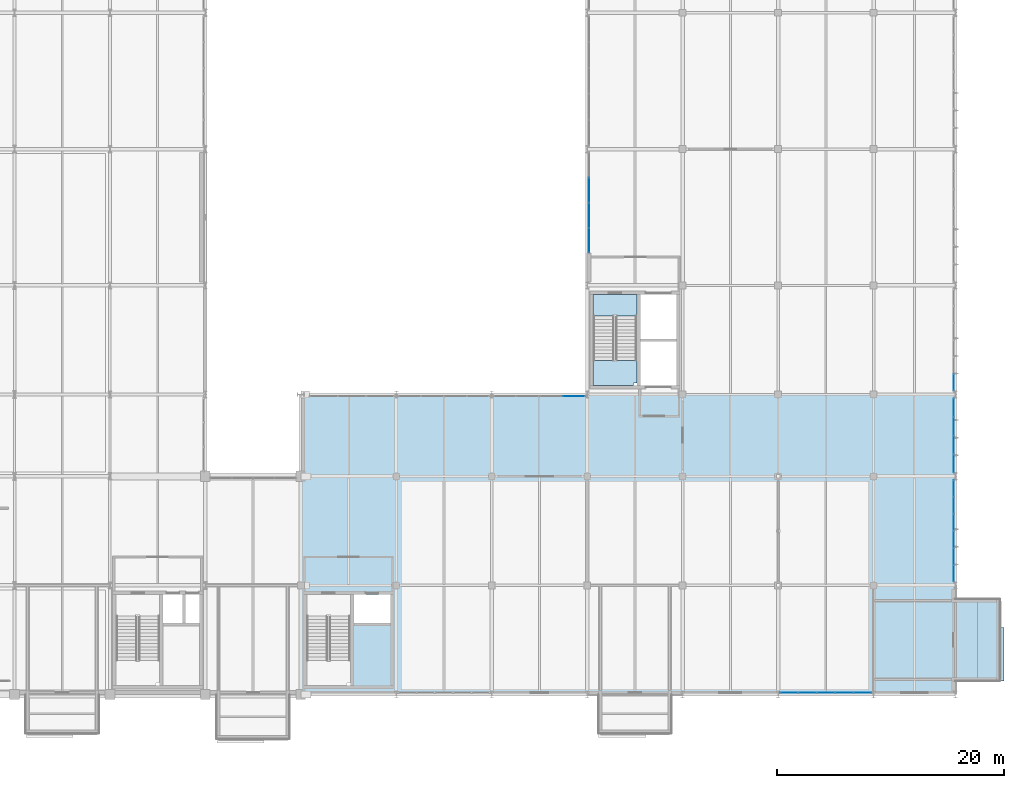
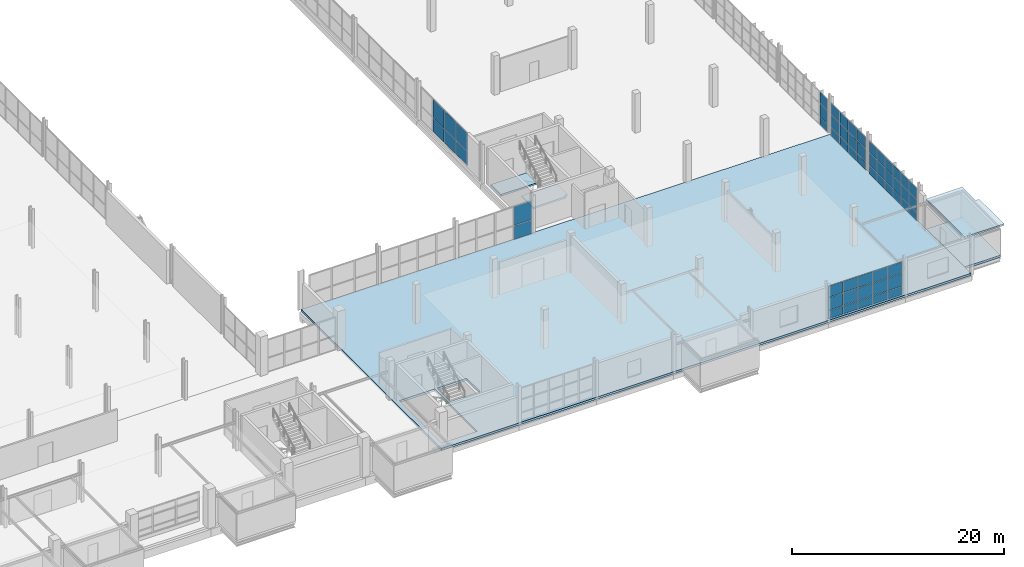
# One storey, part 110 of 130: 56 plates, 5 slabs, 7 elements without a shape of their own.
"""IFC4 building model written with IfcOpenShell, lengths in metres."""

from ifc_helpers import new_model, si_unit, direction, frame, origin, origin_2d, place, context, subcontext, project, spatial, polyline, rectangle, outline, extrude, material, layer, layer_set, type_object, element, aggregate, save


model = new_model("IFC4")

# Units and contexts
model_context = context("Model", 3, precision=1e-05, world=origin(), true_north=direction((0.0, 1.0)))
body_context = subcontext(model_context, "Body", "Model", "MODEL_VIEW")
ifc_project = project(units=[si_unit("LENGTHUNIT", "METRE"), si_unit("AREAUNIT", "SQUARE_METRE"), si_unit("VOLUMEUNIT", "CUBIC_METRE"), si_unit("PLANEANGLEUNIT", "RADIAN"), si_unit("MASSUNIT", "GRAM", prefix="KILO")], contexts=[model_context])

# Site, building, storey
site_placement = place(None, origin())
site = spatial("IfcSite", under=ifc_project, at=site_placement, CompositionType="ELEMENT")
building_placement = place(site_placement, origin())
building = spatial("IfcBuilding", under=site, at=building_placement, Name="Veltarok Museum of Natural Sciences", CompositionType="ELEMENT")
storey_placement = place(building_placement, frame((0.0, 0.0, 12.89990234375)))
storey = spatial("IfcBuildingStorey", under=building, at=storey_placement, Name="L02", CompositionType="ELEMENT", Elevation=12.89990234375)

# Slabs
ifc_material_1 = material(Name="Concrete C35/45", Category="concrete")
ifc_layer_1 = layer(ifc_material_1, 0.199951171875)
ifc_layer_set_1 = layer_set([ifc_layer_1], Name="Concrete C35/45")
slab_type_1 = type_object("IfcSlabType", Name="Cantilevered Cabinet Box Roof Slab 200", PredefinedType="ROOF", material=ifc_layer_set_1)
slab_1_placement = place(storey_placement, frame((0.0, 0.0, 3.25)))
element("IfcSlab", 1, at=slab_1_placement, inside=storey, type_object=slab_type_1, Name="Cabinet Box Roof Slab DB-31", PredefinedType="ROOF", context=body_context, shape_type="SweptSolid", body=[
    extrude(outline(polyline([(164.800048828125, 1.199951171875), (169.080078125, 1.199951171875), (169.080078125, 5.8798828125), (168.699951171875, 5.8798828125), (168.699951171875, 8.39990234375), (164.800048828125, 8.39990234375), (164.800048828125, 1.199951171875)])), origin(), (0.0, 0.0, 1.0), 0.2001953125),
])
ifc_layer_2 = layer(ifc_material_1, 0.199951171875)
ifc_layer_set_2 = layer_set([ifc_layer_2], Name="Concrete C35/45")
slab_type_2 = type_object("IfcSlabType", Name="Protected Stair Intermediate Landing Slab 200", PredefinedType="LANDING", material=ifc_layer_set_2)
slab_2_placement = place(storey_placement, frame((0.0, 0.0, -0.199951171875)))
element("IfcSlab", 2, at=slab_2_placement, inside=storey, type_object=slab_type_2, Name="Stairwell Floor Landing ST-05 L02", PredefinedType="LANDING", context=body_context, shape_type="SweptSolid", body=[
    extrude(outline(polyline([(132.909912109375, 33.300048828125), (136.7900390625, 33.300048828125), (136.7900390625, 35.219970703125), (132.909912109375, 35.219970703125), (132.909912109375, 33.300048828125)])), origin(), (0.0, 0.0, 1.0), 0.199951171875),
])

# Stair, slab
ifc_material_2 = material(Name="Precast concrete C40/50", Category="concrete")
stair_type = type_object("IfcStairType", Name="Protected Half-Turn Escape Stair H4500", PredefinedType="HALF_TURN_STAIR", material=ifc_material_2)
stair_placement = place(storey_placement, origin())
stair = element("IfcStair", 3, at=stair_placement, inside=storey, type_object=stair_type, Name="Protected Escape Stair ST-05-L02", PredefinedType="HALF_TURN_STAIR")
slab_3_placement = place(storey_placement, frame((0.0, 0.0, 2.050048828125)))
slab_3 = element("IfcSlab", 4, at=slab_3_placement, type_object=slab_type_2, Name="ST-05-L02 landing 1", PredefinedType="LANDING", context=body_context, shape_type="SweptSolid", body=[
    extrude(outline(polyline([(132.909912109375, 27.179931640625), (136.469970703125, 27.179931640625), (136.469970703125, 27.419921875), (136.7900390625, 27.419921875), (136.7900390625, 29.39990234375), (132.909912109375, 29.39990234375), (132.909912109375, 27.179931640625)])), origin(), (0.0, 0.0, 1.0), 0.199951171875),
])
aggregate(stair, [slab_3])

# Slabs
ifc_layer_3 = layer(ifc_material_1, 0.25)
ifc_layer_set_3 = layer_set([ifc_layer_3], Name="Concrete C35/45")
slab_type_3 = type_object("IfcSlabType", Name="Suspended Museum Floor Slab 250", PredefinedType="FLOOR", material=ifc_layer_set_3)
slab_4_placement = place(storey_placement, frame((0.0, 0.0, -0.25)))
element("IfcSlab", 5, at=slab_4_placement, inside=storey, type_object=slab_type_3, Name="Floor Slab L02 V5S", PredefinedType="FLOOR", context=body_context, shape_type="SweptSolid", body=[
    extrude(outline(polyline([(107.22509765625, 0.0), (107.22509765625, 26.39990234375), (164.800048828125, 26.39990234375), (164.800048828125, 0.0), (107.22509765625, 0.0)]), holes=[polyline([(107.72998046875, 8.800048828125), (107.72998046875, 0.800048828125), (111.570068359375, 0.800048828125), (111.570068359375, 8.800048828125), (107.72998046875, 8.800048828125)]), polyline([(115.070068359375, 8.800048828125), (111.8701171875, 8.800048828125), (111.8701171875, 6.300048828125), (115.070068359375, 6.300048828125), (115.070068359375, 8.800048828125)])]), origin(), (0.0, 0.0, 1.0), 0.25),
])
slab_5_placement = place(storey_placement, frame((0.0, 0.0, -0.25)))
element("IfcSlab", 6, at=slab_5_placement, inside=storey, type_object=slab_type_3, Name="Cabinet Box Floor Slab DB-31", PredefinedType="FLOOR", context=body_context, shape_type="SweptSolid", body=[
    extrude(outline(polyline([(164.800048828125, 1.199951171875), (168.699951171875, 1.199951171875), (168.699951171875, 8.39990234375), (164.800048828125, 8.39990234375), (164.800048828125, 1.199951171875)])), origin(), (0.0, 0.0, 1.0), 0.25),
])

# Curtain wall, plates
ifc_material_3 = material(Name="Low-iron triple insulated glass", Category="glass")
curtain_wall_type_1 = type_object("IfcCurtainWallType", Name="Curtain Wall System CW-V5S-L02-18-810x388 (V5 South Lab Curtain Wall L02 18-19 810x388cm)", PredefinedType="NOTDEFINED", material=ifc_material_3)
curtain_wall_1_placement = place(storey_placement, origin())
curtain_wall_1 = element("IfcCurtainWall", 7, at=curtain_wall_1_placement, inside=storey, type_object=curtain_wall_type_1, Name="Curtain Wall CW-V5S-L02-18-810x388 CW-0093", PredefinedType="NOTDEFINED")
ifc_layer_4 = layer(ifc_material_3, 0.028076171875)
ifc_layer_set_4 = layer_set([ifc_layer_4], Name="Low-iron triple insulated glass")
plate_type = type_object("IfcPlateType", Name="Triple Low-Iron Glazed Vision Panel 28", PredefinedType="CURTAIN_PANEL", material=ifc_layer_set_4)
plate_1_placement = place(storey_placement, frame((150.175048828125, 0.159912109375, 0.06005859375), z_axis=(0.0, 0.0, 1.0), x_axis=(1.0, 0.0, 0.0)))
plate_1 = element("IfcPlate", 8, at=plate_1_placement, type_object=plate_type, Name="CW-V5S-L02-18-810x388 panel 1.1", PredefinedType="CURTAIN_PANEL", context=body_context, shape_type="SweptSolid", body=[
    extrude(rectangle(XDim=1.530029296875, YDim=0.028076171875, at=origin_2d()), origin(), (0.0, 0.0, 1.0), 0.909912109375),
])
plate_2_placement = place(storey_placement, frame((150.175048828125, 0.159912109375, 1.030029296875), z_axis=(0.0, 0.0, 1.0), x_axis=(1.0, 0.0, 0.0)))
plate_2 = element("IfcPlate", 9, at=plate_2_placement, type_object=plate_type, Name="CW-V5S-L02-18-810x388 panel 1.2", PredefinedType="CURTAIN_PANEL", context=body_context, shape_type="SweptSolid", body=[
    extrude(rectangle(XDim=1.530029296875, YDim=0.028076171875, at=origin_2d()), origin(), (0.0, 0.0, 1.0), 1.43994140625),
])
plate_3_placement = place(storey_placement, frame((150.175048828125, 0.159912109375, 2.530029296875), z_axis=(0.0, 0.0, 1.0), x_axis=(1.0, 0.0, 0.0)))
plate_3 = element("IfcPlate", 10, at=plate_3_placement, type_object=plate_type, Name="CW-V5S-L02-18-810x388 panel 1.3", PredefinedType="CURTAIN_PANEL", context=body_context, shape_type="SweptSolid", body=[
    extrude(rectangle(XDim=1.530029296875, YDim=0.028076171875, at=origin_2d()), origin(), (0.0, 0.0, 1.0), 1.2900390625),
])
plate_4_placement = place(storey_placement, frame((151.780029296875, 0.159912109375, 0.06005859375), z_axis=(0.0, 0.0, 1.0), x_axis=(1.0, 0.0, 0.0)))
plate_4 = element("IfcPlate", 11, at=plate_4_placement, type_object=plate_type, Name="CW-V5S-L02-18-810x388 panel 2.1", PredefinedType="CURTAIN_PANEL", context=body_context, shape_type="SweptSolid", body=[
    extrude(rectangle(XDim=1.56005859375, YDim=0.028076171875, at=origin_2d()), origin(), (0.0, 0.0, 1.0), 0.909912109375),
])
plate_5_placement = place(storey_placement, frame((151.780029296875, 0.159912109375, 1.030029296875), z_axis=(0.0, 0.0, 1.0), x_axis=(1.0, 0.0, 0.0)))
plate_5 = element("IfcPlate", 12, at=plate_5_placement, type_object=plate_type, Name="CW-V5S-L02-18-810x388 panel 2.2", PredefinedType="CURTAIN_PANEL", context=body_context, shape_type="SweptSolid", body=[
    extrude(rectangle(XDim=1.56005859375, YDim=0.028076171875, at=origin_2d()), origin(), (0.0, 0.0, 1.0), 1.43994140625),
])
plate_6_placement = place(storey_placement, frame((151.780029296875, 0.159912109375, 2.530029296875), z_axis=(0.0, 0.0, 1.0), x_axis=(1.0, 0.0, 0.0)))
plate_6 = element("IfcPlate", 13, at=plate_6_placement, type_object=plate_type, Name="CW-V5S-L02-18-810x388 panel 2.3", PredefinedType="CURTAIN_PANEL", context=body_context, shape_type="SweptSolid", body=[
    extrude(rectangle(XDim=1.56005859375, YDim=0.028076171875, at=origin_2d()), origin(), (0.0, 0.0, 1.0), 1.2900390625),
])
plate_7_placement = place(storey_placement, frame((153.39990234375, 0.159912109375, 0.06005859375), z_axis=(0.0, 0.0, 1.0), x_axis=(1.0, 0.0, 0.0)))
plate_7 = element("IfcPlate", 14, at=plate_7_placement, type_object=plate_type, Name="CW-V5S-L02-18-810x388 panel 3.1", PredefinedType="CURTAIN_PANEL", context=body_context, shape_type="SweptSolid", body=[
    extrude(rectangle(XDim=1.56005859375, YDim=0.028076171875, at=origin_2d()), origin(), (0.0, 0.0, 1.0), 0.909912109375),
])
plate_8_placement = place(storey_placement, frame((153.39990234375, 0.159912109375, 1.030029296875), z_axis=(0.0, 0.0, 1.0), x_axis=(1.0, 0.0, 0.0)))
plate_8 = element("IfcPlate", 15, at=plate_8_placement, type_object=plate_type, Name="CW-V5S-L02-18-810x388 panel 3.2", PredefinedType="CURTAIN_PANEL", context=body_context, shape_type="SweptSolid", body=[
    extrude(rectangle(XDim=1.56005859375, YDim=0.028076171875, at=origin_2d()), origin(), (0.0, 0.0, 1.0), 1.43994140625),
])
plate_9_placement = place(storey_placement, frame((153.39990234375, 0.159912109375, 2.530029296875), z_axis=(0.0, 0.0, 1.0), x_axis=(1.0, 0.0, 0.0)))
plate_9 = element("IfcPlate", 16, at=plate_9_placement, type_object=plate_type, Name="CW-V5S-L02-18-810x388 panel 3.3", PredefinedType="CURTAIN_PANEL", context=body_context, shape_type="SweptSolid", body=[
    extrude(rectangle(XDim=1.56005859375, YDim=0.028076171875, at=origin_2d()), origin(), (0.0, 0.0, 1.0), 1.2900390625),
])
plate_10_placement = place(storey_placement, frame((155.02001953125, 0.159912109375, 0.06005859375), z_axis=(0.0, 0.0, 1.0), x_axis=(1.0, 0.0, 0.0)))
plate_10 = element("IfcPlate", 17, at=plate_10_placement, type_object=plate_type, Name="CW-V5S-L02-18-810x388 panel 4.1", PredefinedType="CURTAIN_PANEL", context=body_context, shape_type="SweptSolid", body=[
    extrude(rectangle(XDim=1.56005859375, YDim=0.028076171875, at=origin_2d()), origin(), (0.0, 0.0, 1.0), 0.909912109375),
])
plate_11_placement = place(storey_placement, frame((155.02001953125, 0.159912109375, 1.030029296875), z_axis=(0.0, 0.0, 1.0), x_axis=(1.0, 0.0, 0.0)))
plate_11 = element("IfcPlate", 18, at=plate_11_placement, type_object=plate_type, Name="CW-V5S-L02-18-810x388 panel 4.2", PredefinedType="CURTAIN_PANEL", context=body_context, shape_type="SweptSolid", body=[
    extrude(rectangle(XDim=1.56005859375, YDim=0.028076171875, at=origin_2d()), origin(), (0.0, 0.0, 1.0), 1.43994140625),
])
plate_12_placement = place(storey_placement, frame((155.02001953125, 0.159912109375, 2.530029296875), z_axis=(0.0, 0.0, 1.0), x_axis=(1.0, 0.0, 0.0)))
plate_12 = element("IfcPlate", 19, at=plate_12_placement, type_object=plate_type, Name="CW-V5S-L02-18-810x388 panel 4.3", PredefinedType="CURTAIN_PANEL", context=body_context, shape_type="SweptSolid", body=[
    extrude(rectangle(XDim=1.56005859375, YDim=0.028076171875, at=origin_2d()), origin(), (0.0, 0.0, 1.0), 1.2900390625),
])
plate_13_placement = place(storey_placement, frame((156.625, 0.159912109375, 0.06005859375), z_axis=(0.0, 0.0, 1.0), x_axis=(1.0, 0.0, 0.0)))
plate_13 = element("IfcPlate", 20, at=plate_13_placement, type_object=plate_type, Name="CW-V5S-L02-18-810x388 panel 5.1", PredefinedType="CURTAIN_PANEL", context=body_context, shape_type="SweptSolid", body=[
    extrude(rectangle(XDim=1.530029296875, YDim=0.028076171875, at=origin_2d()), origin(), (0.0, 0.0, 1.0), 0.909912109375),
])
plate_14_placement = place(storey_placement, frame((156.625, 0.159912109375, 1.030029296875), z_axis=(0.0, 0.0, 1.0), x_axis=(1.0, 0.0, 0.0)))
plate_14 = element("IfcPlate", 21, at=plate_14_placement, type_object=plate_type, Name="CW-V5S-L02-18-810x388 panel 5.2", PredefinedType="CURTAIN_PANEL", context=body_context, shape_type="SweptSolid", body=[
    extrude(rectangle(XDim=1.530029296875, YDim=0.028076171875, at=origin_2d()), origin(), (0.0, 0.0, 1.0), 1.43994140625),
])
plate_15_placement = place(storey_placement, frame((156.625, 0.159912109375, 2.530029296875), z_axis=(0.0, 0.0, 1.0), x_axis=(1.0, 0.0, 0.0)))
plate_15 = element("IfcPlate", 22, at=plate_15_placement, type_object=plate_type, Name="CW-V5S-L02-18-810x388 panel 5.3", PredefinedType="CURTAIN_PANEL", context=body_context, shape_type="SweptSolid", body=[
    extrude(rectangle(XDim=1.530029296875, YDim=0.028076171875, at=origin_2d()), origin(), (0.0, 0.0, 1.0), 1.2900390625),
])
aggregate(curtain_wall_1, [plate_1, plate_2, plate_3, plate_4, plate_5, plate_6, plate_7, plate_8, plate_9, plate_10, plate_11, plate_12, plate_13, plate_14, plate_15])

curtain_wall_type_2 = type_object("IfcCurtainWallType", Name="Curtain Wall System CW-V5E-L02-B-900x388 (V5 East Lab L02 B-C 900x388cm)", PredefinedType="NOTDEFINED", material=ifc_material_3)
curtain_wall_2_placement = place(storey_placement, origin())
curtain_wall_2 = element("IfcCurtainWall", 23, at=curtain_wall_2_placement, inside=storey, type_object=curtain_wall_type_2, Name="Curtain Wall CW-V5E-L02-B-900x388 CW-0109", PredefinedType="NOTDEFINED")
plate_16_placement = place(storey_placement, frame((164.64990234375, 10.6650390625, 0.06005859375), z_axis=(0.0, 0.0, 1.0), x_axis=(0.0, 1.0, 0.0)))
plate_16 = element("IfcPlate", 24, at=plate_16_placement, type_object=plate_type, Name="CW-V5E-L02-B-900x388 panel 1.1", PredefinedType="CURTAIN_PANEL", context=body_context, shape_type="SweptSolid", body=[
    extrude(rectangle(XDim=1.409912109375, YDim=0.028076171875, at=origin_2d()), origin(), (0.0, 0.0, 1.0), 0.909912109375),
])
plate_17_placement = place(storey_placement, frame((164.64990234375, 10.6650390625, 1.030029296875), z_axis=(0.0, 0.0, 1.0), x_axis=(0.0, 1.0, 0.0)))
plate_17 = element("IfcPlate", 25, at=plate_17_placement, type_object=plate_type, Name="CW-V5E-L02-B-900x388 panel 1.2", PredefinedType="CURTAIN_PANEL", context=body_context, shape_type="SweptSolid", body=[
    extrude(rectangle(XDim=1.409912109375, YDim=0.028076171875, at=origin_2d()), origin(), (0.0, 0.0, 1.0), 1.43994140625),
])
plate_18_placement = place(storey_placement, frame((164.64990234375, 10.6650390625, 2.530029296875), z_axis=(0.0, 0.0, 1.0), x_axis=(0.0, 1.0, 0.0)))
plate_18 = element("IfcPlate", 26, at=plate_18_placement, type_object=plate_type, Name="CW-V5E-L02-B-900x388 panel 1.3", PredefinedType="CURTAIN_PANEL", context=body_context, shape_type="SweptSolid", body=[
    extrude(rectangle(XDim=1.409912109375, YDim=0.028076171875, at=origin_2d()), origin(), (0.0, 0.0, 1.0), 1.2900390625),
])
plate_19_placement = place(storey_placement, frame((164.64990234375, 12.14990234375, 0.06005859375), z_axis=(0.0, 0.0, 1.0), x_axis=(0.0, 1.0, 0.0)))
plate_19 = element("IfcPlate", 27, at=plate_19_placement, type_object=plate_type, Name="CW-V5E-L02-B-900x388 panel 2.1", PredefinedType="CURTAIN_PANEL", context=body_context, shape_type="SweptSolid", body=[
    extrude(rectangle(XDim=1.43994140625, YDim=0.028076171875, at=origin_2d()), origin(), (0.0, 0.0, 1.0), 0.909912109375),
])
plate_20_placement = place(storey_placement, frame((164.64990234375, 12.14990234375, 1.030029296875), z_axis=(0.0, 0.0, 1.0), x_axis=(0.0, 1.0, 0.0)))
plate_20 = element("IfcPlate", 28, at=plate_20_placement, type_object=plate_type, Name="CW-V5E-L02-B-900x388 panel 2.2", PredefinedType="CURTAIN_PANEL", context=body_context, shape_type="SweptSolid", body=[
    extrude(rectangle(XDim=1.43994140625, YDim=0.028076171875, at=origin_2d()), origin(), (0.0, 0.0, 1.0), 1.43994140625),
])
plate_21_placement = place(storey_placement, frame((164.64990234375, 12.14990234375, 2.530029296875), z_axis=(0.0, 0.0, 1.0), x_axis=(0.0, 1.0, 0.0)))
plate_21 = element("IfcPlate", 29, at=plate_21_placement, type_object=plate_type, Name="CW-V5E-L02-B-900x388 panel 2.3", PredefinedType="CURTAIN_PANEL", context=body_context, shape_type="SweptSolid", body=[
    extrude(rectangle(XDim=1.43994140625, YDim=0.028076171875, at=origin_2d()), origin(), (0.0, 0.0, 1.0), 1.2900390625),
])
plate_22_placement = place(storey_placement, frame((164.64990234375, 13.64990234375, 0.06005859375), z_axis=(0.0, 0.0, 1.0), x_axis=(0.0, 1.0, 0.0)))
plate_22 = element("IfcPlate", 30, at=plate_22_placement, type_object=plate_type, Name="CW-V5E-L02-B-900x388 panel 3.1", PredefinedType="CURTAIN_PANEL", context=body_context, shape_type="SweptSolid", body=[
    extrude(rectangle(XDim=1.43994140625, YDim=0.028076171875, at=origin_2d()), origin(), (0.0, 0.0, 1.0), 0.909912109375),
])
plate_23_placement = place(storey_placement, frame((164.64990234375, 13.64990234375, 1.030029296875), z_axis=(0.0, 0.0, 1.0), x_axis=(0.0, 1.0, 0.0)))
plate_23 = element("IfcPlate", 31, at=plate_23_placement, type_object=plate_type, Name="CW-V5E-L02-B-900x388 panel 3.2", PredefinedType="CURTAIN_PANEL", context=body_context, shape_type="SweptSolid", body=[
    extrude(rectangle(XDim=1.43994140625, YDim=0.028076171875, at=origin_2d()), origin(), (0.0, 0.0, 1.0), 1.43994140625),
])
plate_24_placement = place(storey_placement, frame((164.64990234375, 13.64990234375, 2.530029296875), z_axis=(0.0, 0.0, 1.0), x_axis=(0.0, 1.0, 0.0)))
plate_24 = element("IfcPlate", 32, at=plate_24_placement, type_object=plate_type, Name="CW-V5E-L02-B-900x388 panel 3.3", PredefinedType="CURTAIN_PANEL", context=body_context, shape_type="SweptSolid", body=[
    extrude(rectangle(XDim=1.43994140625, YDim=0.028076171875, at=origin_2d()), origin(), (0.0, 0.0, 1.0), 1.2900390625),
])
plate_25_placement = place(storey_placement, frame((164.64990234375, 15.14990234375, 0.06005859375), z_axis=(0.0, 0.0, 1.0), x_axis=(0.0, 1.0, 0.0)))
plate_25 = element("IfcPlate", 33, at=plate_25_placement, type_object=plate_type, Name="CW-V5E-L02-B-900x388 panel 4.1", PredefinedType="CURTAIN_PANEL", context=body_context, shape_type="SweptSolid", body=[
    extrude(rectangle(XDim=1.43994140625, YDim=0.028076171875, at=origin_2d()), origin(), (0.0, 0.0, 1.0), 0.909912109375),
])
plate_26_placement = place(storey_placement, frame((164.64990234375, 15.14990234375, 1.030029296875), z_axis=(0.0, 0.0, 1.0), x_axis=(0.0, 1.0, 0.0)))
plate_26 = element("IfcPlate", 34, at=plate_26_placement, type_object=plate_type, Name="CW-V5E-L02-B-900x388 panel 4.2", PredefinedType="CURTAIN_PANEL", context=body_context, shape_type="SweptSolid", body=[
    extrude(rectangle(XDim=1.43994140625, YDim=0.028076171875, at=origin_2d()), origin(), (0.0, 0.0, 1.0), 1.43994140625),
])
plate_27_placement = place(storey_placement, frame((164.64990234375, 15.14990234375, 2.530029296875), z_axis=(0.0, 0.0, 1.0), x_axis=(0.0, 1.0, 0.0)))
plate_27 = element("IfcPlate", 35, at=plate_27_placement, type_object=plate_type, Name="CW-V5E-L02-B-900x388 panel 4.3", PredefinedType="CURTAIN_PANEL", context=body_context, shape_type="SweptSolid", body=[
    extrude(rectangle(XDim=1.43994140625, YDim=0.028076171875, at=origin_2d()), origin(), (0.0, 0.0, 1.0), 1.2900390625),
])
plate_28_placement = place(storey_placement, frame((164.64990234375, 16.64990234375, 0.06005859375), z_axis=(0.0, 0.0, 1.0), x_axis=(0.0, 1.0, 0.0)))
plate_28 = element("IfcPlate", 36, at=plate_28_placement, type_object=plate_type, Name="CW-V5E-L02-B-900x388 panel 5.1", PredefinedType="CURTAIN_PANEL", context=body_context, shape_type="SweptSolid", body=[
    extrude(rectangle(XDim=1.43994140625, YDim=0.028076171875, at=origin_2d()), origin(), (0.0, 0.0, 1.0), 0.909912109375),
])
plate_29_placement = place(storey_placement, frame((164.64990234375, 16.64990234375, 1.030029296875), z_axis=(0.0, 0.0, 1.0), x_axis=(0.0, 1.0, 0.0)))
plate_29 = element("IfcPlate", 37, at=plate_29_placement, type_object=plate_type, Name="CW-V5E-L02-B-900x388 panel 5.2", PredefinedType="CURTAIN_PANEL", context=body_context, shape_type="SweptSolid", body=[
    extrude(rectangle(XDim=1.43994140625, YDim=0.028076171875, at=origin_2d()), origin(), (0.0, 0.0, 1.0), 1.43994140625),
])
plate_30_placement = place(storey_placement, frame((164.64990234375, 16.64990234375, 2.530029296875), z_axis=(0.0, 0.0, 1.0), x_axis=(0.0, 1.0, 0.0)))
plate_30 = element("IfcPlate", 38, at=plate_30_placement, type_object=plate_type, Name="CW-V5E-L02-B-900x388 panel 5.3", PredefinedType="CURTAIN_PANEL", context=body_context, shape_type="SweptSolid", body=[
    extrude(rectangle(XDim=1.43994140625, YDim=0.028076171875, at=origin_2d()), origin(), (0.0, 0.0, 1.0), 1.2900390625),
])
plate_31_placement = place(storey_placement, frame((164.64990234375, 18.135009765625, 0.06005859375), z_axis=(0.0, 0.0, 1.0), x_axis=(0.0, 1.0, 0.0)))
plate_31 = element("IfcPlate", 39, at=plate_31_placement, type_object=plate_type, Name="CW-V5E-L02-B-900x388 panel 6.1", PredefinedType="CURTAIN_PANEL", context=body_context, shape_type="SweptSolid", body=[
    extrude(rectangle(XDim=1.409912109375, YDim=0.028076171875, at=origin_2d()), origin(), (0.0, 0.0, 1.0), 0.909912109375),
])
plate_32_placement = place(storey_placement, frame((164.64990234375, 18.135009765625, 1.030029296875), z_axis=(0.0, 0.0, 1.0), x_axis=(0.0, 1.0, 0.0)))
plate_32 = element("IfcPlate", 40, at=plate_32_placement, type_object=plate_type, Name="CW-V5E-L02-B-900x388 panel 6.2", PredefinedType="CURTAIN_PANEL", context=body_context, shape_type="SweptSolid", body=[
    extrude(rectangle(XDim=1.409912109375, YDim=0.028076171875, at=origin_2d()), origin(), (0.0, 0.0, 1.0), 1.43994140625),
])
plate_33_placement = place(storey_placement, frame((164.64990234375, 18.135009765625, 2.530029296875), z_axis=(0.0, 0.0, 1.0), x_axis=(0.0, 1.0, 0.0)))
plate_33 = element("IfcPlate", 41, at=plate_33_placement, type_object=plate_type, Name="CW-V5E-L02-B-900x388 panel 6.3", PredefinedType="CURTAIN_PANEL", context=body_context, shape_type="SweptSolid", body=[
    extrude(rectangle(XDim=1.409912109375, YDim=0.028076171875, at=origin_2d()), origin(), (0.0, 0.0, 1.0), 1.2900390625),
])
aggregate(curtain_wall_2, [plate_16, plate_17, plate_18, plate_19, plate_20, plate_21, plate_22, plate_23, plate_24, plate_25, plate_26, plate_27, plate_28, plate_29, plate_30, plate_31, plate_32, plate_33])

curtain_wall_type_3 = type_object("IfcCurtainWallType", Name="Curtain Wall System CW-V5E-L02-C-660x388 (V5 East Lab L02 C-D 660x388cm)", PredefinedType="NOTDEFINED", material=ifc_material_3)
curtain_wall_3_placement = place(storey_placement, origin())
curtain_wall_3 = element("IfcCurtainWall", 42, at=curtain_wall_3_placement, inside=storey, type_object=curtain_wall_type_3, Name="Curtain Wall CW-V5E-L02-C-660x388 CW-0110", PredefinedType="NOTDEFINED")
plate_34_placement = place(storey_placement, frame((164.64990234375, 20.340087890625, 0.06005859375), z_axis=(0.0, 0.0, 1.0), x_axis=(0.0, 1.0, 0.0)))
plate_34 = element("IfcPlate", 43, at=plate_34_placement, type_object=plate_type, Name="CW-V5E-L02-C-660x388 panel 1.1", PredefinedType="CURTAIN_PANEL", context=body_context, shape_type="SweptSolid", body=[
    extrude(rectangle(XDim=1.56005859375, YDim=0.028076171875, at=origin_2d()), origin(), (0.0, 0.0, 1.0), 0.909912109375),
])
plate_35_placement = place(storey_placement, frame((164.64990234375, 20.340087890625, 1.030029296875), z_axis=(0.0, 0.0, 1.0), x_axis=(0.0, 1.0, 0.0)))
plate_35 = element("IfcPlate", 44, at=plate_35_placement, type_object=plate_type, Name="CW-V5E-L02-C-660x388 panel 1.2", PredefinedType="CURTAIN_PANEL", context=body_context, shape_type="SweptSolid", body=[
    extrude(rectangle(XDim=1.56005859375, YDim=0.028076171875, at=origin_2d()), origin(), (0.0, 0.0, 1.0), 1.43994140625),
])
plate_36_placement = place(storey_placement, frame((164.64990234375, 20.340087890625, 2.530029296875), z_axis=(0.0, 0.0, 1.0), x_axis=(0.0, 1.0, 0.0)))
plate_36 = element("IfcPlate", 45, at=plate_36_placement, type_object=plate_type, Name="CW-V5E-L02-C-660x388 panel 1.3", PredefinedType="CURTAIN_PANEL", context=body_context, shape_type="SweptSolid", body=[
    extrude(rectangle(XDim=1.56005859375, YDim=0.028076171875, at=origin_2d()), origin(), (0.0, 0.0, 1.0), 1.2900390625),
])
plate_37_placement = place(storey_placement, frame((164.64990234375, 21.97509765625, 0.06005859375), z_axis=(0.0, 0.0, 1.0), x_axis=(0.0, 1.0, 0.0)))
plate_37 = element("IfcPlate", 46, at=plate_37_placement, type_object=plate_type, Name="CW-V5E-L02-C-660x388 panel 2.1", PredefinedType="CURTAIN_PANEL", context=body_context, shape_type="SweptSolid", body=[
    extrude(rectangle(XDim=1.590087890625, YDim=0.028076171875, at=origin_2d()), origin(), (0.0, 0.0, 1.0), 0.909912109375),
])
plate_38_placement = place(storey_placement, frame((164.64990234375, 21.97509765625, 1.030029296875), z_axis=(0.0, 0.0, 1.0), x_axis=(0.0, 1.0, 0.0)))
plate_38 = element("IfcPlate", 47, at=plate_38_placement, type_object=plate_type, Name="CW-V5E-L02-C-660x388 panel 2.2", PredefinedType="CURTAIN_PANEL", context=body_context, shape_type="SweptSolid", body=[
    extrude(rectangle(XDim=1.590087890625, YDim=0.028076171875, at=origin_2d()), origin(), (0.0, 0.0, 1.0), 1.43994140625),
])
plate_39_placement = place(storey_placement, frame((164.64990234375, 21.97509765625, 2.530029296875), z_axis=(0.0, 0.0, 1.0), x_axis=(0.0, 1.0, 0.0)))
plate_39 = element("IfcPlate", 48, at=plate_39_placement, type_object=plate_type, Name="CW-V5E-L02-C-660x388 panel 2.3", PredefinedType="CURTAIN_PANEL", context=body_context, shape_type="SweptSolid", body=[
    extrude(rectangle(XDim=1.590087890625, YDim=0.028076171875, at=origin_2d()), origin(), (0.0, 0.0, 1.0), 1.2900390625),
])
plate_40_placement = place(storey_placement, frame((164.64990234375, 23.625, 0.06005859375), z_axis=(0.0, 0.0, 1.0), x_axis=(0.0, 1.0, 0.0)))
plate_40 = element("IfcPlate", 49, at=plate_40_placement, type_object=plate_type, Name="CW-V5E-L02-C-660x388 panel 3.1", PredefinedType="CURTAIN_PANEL", context=body_context, shape_type="SweptSolid", body=[
    extrude(rectangle(XDim=1.590087890625, YDim=0.028076171875, at=origin_2d()), origin(), (0.0, 0.0, 1.0), 0.909912109375),
])
plate_41_placement = place(storey_placement, frame((164.64990234375, 23.625, 1.030029296875), z_axis=(0.0, 0.0, 1.0), x_axis=(0.0, 1.0, 0.0)))
plate_41 = element("IfcPlate", 50, at=plate_41_placement, type_object=plate_type, Name="CW-V5E-L02-C-660x388 panel 3.2", PredefinedType="CURTAIN_PANEL", context=body_context, shape_type="SweptSolid", body=[
    extrude(rectangle(XDim=1.590087890625, YDim=0.028076171875, at=origin_2d()), origin(), (0.0, 0.0, 1.0), 1.43994140625),
])
plate_42_placement = place(storey_placement, frame((164.64990234375, 23.625, 2.530029296875), z_axis=(0.0, 0.0, 1.0), x_axis=(0.0, 1.0, 0.0)))
plate_42 = element("IfcPlate", 51, at=plate_42_placement, type_object=plate_type, Name="CW-V5E-L02-C-660x388 panel 3.3", PredefinedType="CURTAIN_PANEL", context=body_context, shape_type="SweptSolid", body=[
    extrude(rectangle(XDim=1.590087890625, YDim=0.028076171875, at=origin_2d()), origin(), (0.0, 0.0, 1.0), 1.2900390625),
])
plate_43_placement = place(storey_placement, frame((164.64990234375, 25.260009765625, 0.06005859375), z_axis=(0.0, 0.0, 1.0), x_axis=(0.0, 1.0, 0.0)))
plate_43 = element("IfcPlate", 52, at=plate_43_placement, type_object=plate_type, Name="CW-V5E-L02-C-660x388 panel 4.1", PredefinedType="CURTAIN_PANEL", context=body_context, shape_type="SweptSolid", body=[
    extrude(rectangle(XDim=1.56005859375, YDim=0.028076171875, at=origin_2d()), origin(), (0.0, 0.0, 1.0), 0.909912109375),
])
plate_44_placement = place(storey_placement, frame((164.64990234375, 25.260009765625, 1.030029296875), z_axis=(0.0, 0.0, 1.0), x_axis=(0.0, 1.0, 0.0)))
plate_44 = element("IfcPlate", 53, at=plate_44_placement, type_object=plate_type, Name="CW-V5E-L02-C-660x388 panel 4.2", PredefinedType="CURTAIN_PANEL", context=body_context, shape_type="SweptSolid", body=[
    extrude(rectangle(XDim=1.56005859375, YDim=0.028076171875, at=origin_2d()), origin(), (0.0, 0.0, 1.0), 1.43994140625),
])
plate_45_placement = place(storey_placement, frame((164.64990234375, 25.260009765625, 2.530029296875), z_axis=(0.0, 0.0, 1.0), x_axis=(0.0, 1.0, 0.0)))
plate_45 = element("IfcPlate", 54, at=plate_45_placement, type_object=plate_type, Name="CW-V5E-L02-C-660x388 panel 4.3", PredefinedType="CURTAIN_PANEL", context=body_context, shape_type="SweptSolid", body=[
    extrude(rectangle(XDim=1.56005859375, YDim=0.028076171875, at=origin_2d()), origin(), (0.0, 0.0, 1.0), 1.2900390625),
])
aggregate(curtain_wall_3, [plate_34, plate_35, plate_36, plate_37, plate_38, plate_39, plate_40, plate_41, plate_42, plate_43, plate_44, plate_45])

curtain_wall_type_4 = type_object("IfcCurtainWallType", Name="Curtain Wall System CW-V5E-L02-D-900x388 (V5 East Lab L02 D-E 900x388cm)", PredefinedType="NOTDEFINED", material=ifc_material_3)
curtain_wall_4_placement = place(storey_placement, origin())
curtain_wall_4 = element("IfcCurtainWall", 55, at=curtain_wall_4_placement, inside=storey, type_object=curtain_wall_type_4, Name="Curtain Wall CW-V5E-L02-D-900x388 CW-0111", PredefinedType="NOTDEFINED")
plate_46_placement = place(storey_placement, frame((164.64990234375, 27.465087890625, 0.06005859375), z_axis=(0.0, 0.0, 1.0), x_axis=(0.0, 1.0, 0.0)))
plate_46 = element("IfcPlate", 56, at=plate_46_placement, type_object=plate_type, Name="CW-V5E-L02-D-900x388 panel 1.1", PredefinedType="CURTAIN_PANEL", context=body_context, shape_type="SweptSolid", body=[
    extrude(rectangle(XDim=1.409912109375, YDim=0.028076171875, at=origin_2d()), origin(), (0.0, 0.0, 1.0), 0.909912109375),
])
plate_47_placement = place(storey_placement, frame((164.64990234375, 27.465087890625, 1.030029296875), z_axis=(0.0, 0.0, 1.0), x_axis=(0.0, 1.0, 0.0)))
plate_47 = element("IfcPlate", 57, at=plate_47_placement, type_object=plate_type, Name="CW-V5E-L02-D-900x388 panel 1.2", PredefinedType="CURTAIN_PANEL", context=body_context, shape_type="SweptSolid", body=[
    extrude(rectangle(XDim=1.409912109375, YDim=0.028076171875, at=origin_2d()), origin(), (0.0, 0.0, 1.0), 1.43994140625),
])
plate_48_placement = place(storey_placement, frame((164.64990234375, 27.465087890625, 2.530029296875), z_axis=(0.0, 0.0, 1.0), x_axis=(0.0, 1.0, 0.0)))
plate_48 = element("IfcPlate", 58, at=plate_48_placement, type_object=plate_type, Name="CW-V5E-L02-D-900x388 panel 1.3", PredefinedType="CURTAIN_PANEL", context=body_context, shape_type="SweptSolid", body=[
    extrude(rectangle(XDim=1.409912109375, YDim=0.028076171875, at=origin_2d()), origin(), (0.0, 0.0, 1.0), 1.2900390625),
])
aggregate(curtain_wall_4, [plate_46, plate_47, plate_48])

curtain_wall_type_5 = type_object("IfcCurtainWallType", Name="Curtain Wall System CW-V5CW-L02-1-885x383 (CW-V5CW L02 885x383cm)", PredefinedType="NOTDEFINED", material=ifc_material_3)
curtain_wall_5_placement = place(storey_placement, origin())
curtain_wall_5 = element("IfcCurtainWall", 59, at=curtain_wall_5_placement, inside=storey, type_object=curtain_wall_type_5, Name="Curtain Wall CW-V5CW-L02-1-885x383 CW-0177", PredefinedType="NOTDEFINED")
plate_49_placement = place(storey_placement, frame((132.550048828125, 39.97119140625, 0.05810546875), z_axis=(0.0, 0.0, 1.0), x_axis=(0.0, 1.0, 0.0)))
plate_49 = element("IfcPlate", 60, at=plate_49_placement, type_object=plate_type, Name="CW-V5CW-L02-1-885x383 panel 1.1", PredefinedType="CURTAIN_PANEL", context=body_context, shape_type="SweptSolid", body=[
    extrude(rectangle(XDim=2.12255859375, YDim=0.028076171875, at=origin_2d()), origin(), (0.0, 0.0, 1.0), 1.56005859375),
])
plate_50_placement = place(storey_placement, frame((132.550048828125, 39.97119140625, 1.67822265625), z_axis=(0.0, 0.0, 1.0), x_axis=(0.0, 1.0, 0.0)))
plate_50 = element("IfcPlate", 61, at=plate_50_placement, type_object=plate_type, Name="CW-V5CW-L02-1-885x383 panel 1.2", PredefinedType="CURTAIN_PANEL", context=body_context, shape_type="SweptSolid", body=[
    extrude(rectangle(XDim=2.12255859375, YDim=0.028076171875, at=origin_2d()), origin(), (0.0, 0.0, 1.0), 2.092041015625),
])
plate_51_placement = place(storey_placement, frame((132.550048828125, 42.168701171875, 0.05810546875), z_axis=(0.0, 0.0, 1.0), x_axis=(0.0, 1.0, 0.0)))
plate_51 = element("IfcPlate", 62, at=plate_51_placement, type_object=plate_type, Name="CW-V5CW-L02-1-885x383 panel 2.1", PredefinedType="CURTAIN_PANEL", context=body_context, shape_type="SweptSolid", body=[
    extrude(rectangle(XDim=2.152587890625, YDim=0.028076171875, at=origin_2d()), origin(), (0.0, 0.0, 1.0), 1.56005859375),
])
plate_52_placement = place(storey_placement, frame((132.550048828125, 42.168701171875, 1.67822265625), z_axis=(0.0, 0.0, 1.0), x_axis=(0.0, 1.0, 0.0)))
plate_52 = element("IfcPlate", 63, at=plate_52_placement, type_object=plate_type, Name="CW-V5CW-L02-1-885x383 panel 2.2", PredefinedType="CURTAIN_PANEL", context=body_context, shape_type="SweptSolid", body=[
    extrude(rectangle(XDim=2.152587890625, YDim=0.028076171875, at=origin_2d()), origin(), (0.0, 0.0, 1.0), 2.092041015625),
])
plate_53_placement = place(storey_placement, frame((132.550048828125, 44.38134765625, 0.05810546875), z_axis=(0.0, 0.0, 1.0), x_axis=(0.0, 1.0, 0.0)))
plate_53 = element("IfcPlate", 64, at=plate_53_placement, type_object=plate_type, Name="CW-V5CW-L02-1-885x383 panel 3.1", PredefinedType="CURTAIN_PANEL", context=body_context, shape_type="SweptSolid", body=[
    extrude(rectangle(XDim=2.152587890625, YDim=0.028076171875, at=origin_2d()), origin(), (0.0, 0.0, 1.0), 1.56005859375),
])
plate_54_placement = place(storey_placement, frame((132.550048828125, 44.38134765625, 1.67822265625), z_axis=(0.0, 0.0, 1.0), x_axis=(0.0, 1.0, 0.0)))
plate_54 = element("IfcPlate", 65, at=plate_54_placement, type_object=plate_type, Name="CW-V5CW-L02-1-885x383 panel 3.2", PredefinedType="CURTAIN_PANEL", context=body_context, shape_type="SweptSolid", body=[
    extrude(rectangle(XDim=2.152587890625, YDim=0.028076171875, at=origin_2d()), origin(), (0.0, 0.0, 1.0), 2.092041015625),
])
aggregate(curtain_wall_5, [plate_49, plate_50, plate_51, plate_52, plate_53, plate_54])

curtain_wall_type_6 = type_object("IfcCurtainWallType", Name="Curtain Wall System CW-V5CN-L02-0-810x388 (CW-V5CN L02 810x388cm)", PredefinedType="NOTDEFINED", material=ifc_material_3)
curtain_wall_6_placement = place(storey_placement, origin())
curtain_wall_6 = element("IfcCurtainWall", 66, at=curtain_wall_6_placement, inside=storey, type_object=curtain_wall_type_6, Name="Curtain Wall CW-V5CN-L02-0-810x388 CW-0192", PredefinedType="NOTDEFINED")
plate_55_placement = place(storey_placement, frame((131.222412109375, 26.25, 0.05810546875), z_axis=(0.0, 0.0, 1.0), x_axis=(-1.0, 0.0, 0.0)))
plate_55 = element("IfcPlate", 67, at=plate_55_placement, type_object=plate_type, Name="CW-V5CN-L02-0-810x388 panel 1.1", PredefinedType="CURTAIN_PANEL", context=body_context, shape_type="SweptSolid", body=[
    extrude(rectangle(XDim=1.93505859375, YDim=0.028076171875, at=origin_2d()), origin(), (0.0, 0.0, 1.0), 1.56005859375),
])
plate_56_placement = place(storey_placement, frame((131.222412109375, 26.25, 1.677978515625), z_axis=(0.0, 0.0, 1.0), x_axis=(-1.0, 0.0, 0.0)))
plate_56 = element("IfcPlate", 68, at=plate_56_placement, type_object=plate_type, Name="CW-V5CN-L02-0-810x388 panel 1.2", PredefinedType="CURTAIN_PANEL", context=body_context, shape_type="SweptSolid", body=[
    extrude(rectangle(XDim=1.93505859375, YDim=0.028076171875, at=origin_2d()), origin(), (0.0, 0.0, 1.0), 2.14208984375),
])
aggregate(curtain_wall_6, [plate_55, plate_56])

save(model, "model.ifc")
